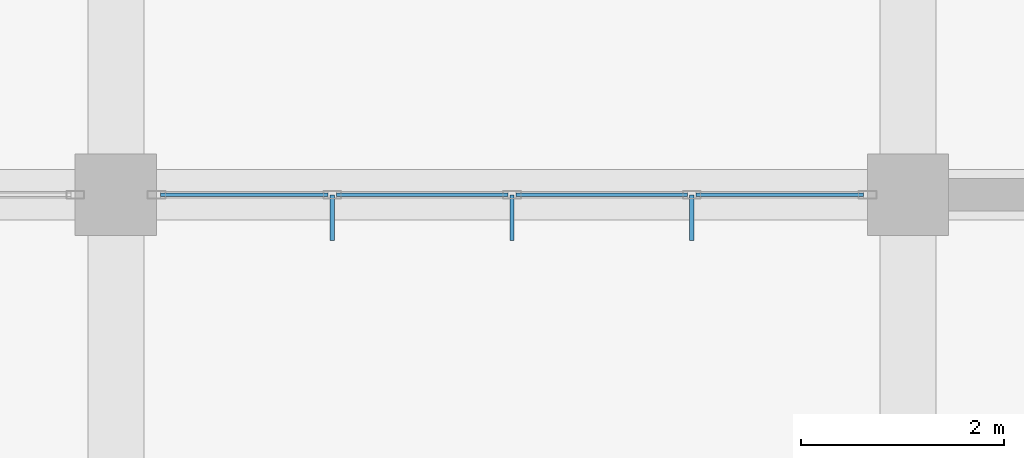
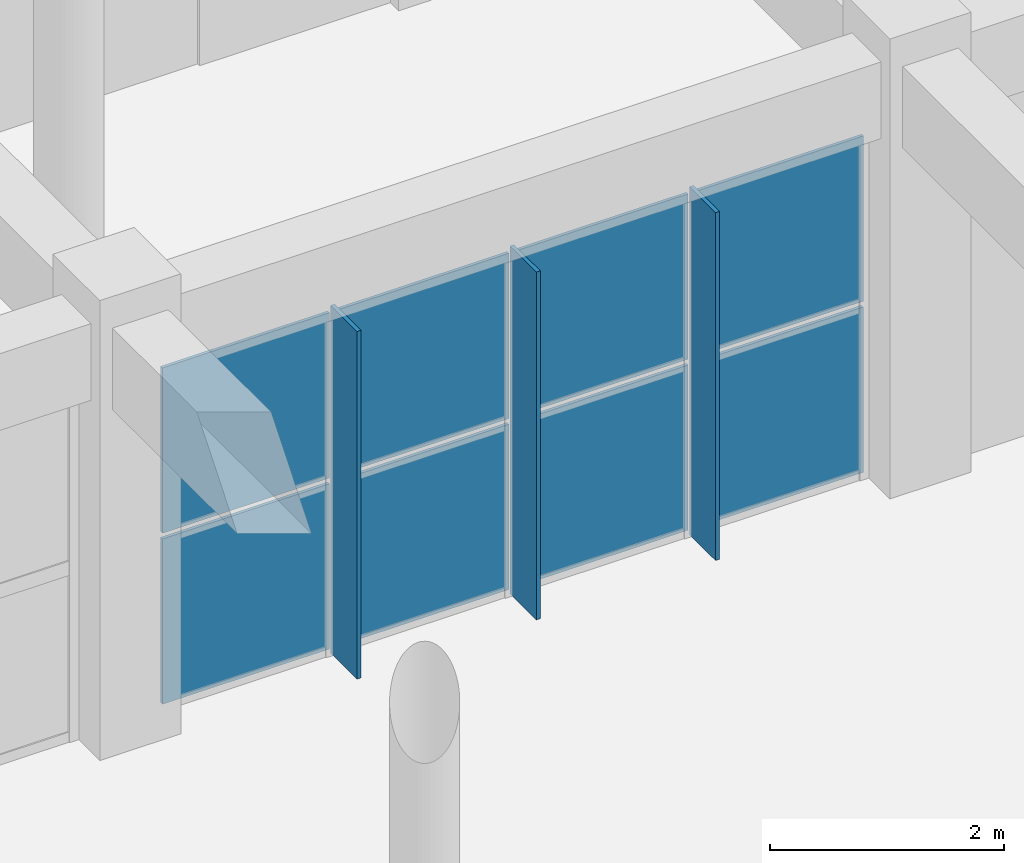
# One storey, part 103 of 139: 11 plates, 1 element without a shape of its own.
"""IFC4 building model written with IfcOpenShell, lengths in metres."""

from ifc_helpers import new_model, si_unit, direction, frame, origin, origin_2d, place, context, subcontext, project, spatial, polyline, rectangle, outline, extrude, material, layer, layer_set, type_object, element, aggregate, save


model = new_model("IFC4")

# Units and contexts
model_context = context("Model", 3, precision=1e-05, world=origin(), true_north=direction((0.0, 1.0)))
body_context = subcontext(model_context, "Body", "Model", "MODEL_VIEW")
ifc_project = project(units=[si_unit("LENGTHUNIT", "METRE"), si_unit("AREAUNIT", "SQUARE_METRE"), si_unit("VOLUMEUNIT", "CUBIC_METRE"), si_unit("PLANEANGLEUNIT", "RADIAN"), si_unit("MASSUNIT", "GRAM", prefix="KILO")], contexts=[model_context])

# Site, building, storey
site_placement = place(None, origin())
site = spatial("IfcSite", under=ifc_project, at=site_placement, CompositionType="ELEMENT")
building_placement = place(site_placement, origin())
building = spatial("IfcBuilding", under=site, at=building_placement, Name="Zizhar Promenade General Hospital", CompositionType="ELEMENT")
storey_placement = place(building_placement, origin())
storey = spatial("IfcBuildingStorey", under=building, at=storey_placement, Name="L00", CompositionType="ELEMENT", Elevation=0.0)

# Curtain wall, plates
ifc_material_1 = material(Name="Anodised aluminium 6063-T6 and low-E glass", Category="aluminium")
ifc_layer_1 = layer(ifc_material_1, 0.159912109375)
ifc_layer_set_1 = layer_set([ifc_layer_1], Name="Anodised aluminium 6063-T6 and low-E glass")
curtain_wall_type = type_object("IfcCurtainWallType", Name="CW-HALL-S", PredefinedType="NOTDEFINED", material=ifc_layer_set_1)
curtain_wall_placement = place(storey_placement, origin())
curtain_wall = element("IfcCurtainWall", 1, at=curtain_wall_placement, inside=storey, type_object=curtain_wall_type, Name="Promenade Colonnade Curtain Wall Bay 13", PredefinedType="NOTDEFINED")
ifc_material_2 = material(Name="Low-E solar-control glass", Category="glass")
ifc_layer_2 = layer(ifc_material_2, 0.031982421875)
ifc_layer_set_2 = layer_set([ifc_layer_2], Name="Low-E solar-control glass")
plate_type_1 = type_object("IfcPlateType", Name="CWP-GLZ-32", PredefinedType="CURTAIN_PANEL", material=ifc_layer_set_2)
plate_1_placement = place(storey_placement, frame((115.735107421875, 8.39990234375, 0.06005859375), z_axis=(0.0, 0.0, 1.0), x_axis=(-1.0, 0.0, 0.0)))
plate_1 = element("IfcPlate", 2, at=plate_1_placement, type_object=plate_type_1, Name="CW-01 panel 1.1", PredefinedType="CURTAIN_PANEL", context=body_context, shape_type="SweptSolid", body=[
    extrude(rectangle(XDim=1.64990234375, YDim=0.031982421875, at=origin_2d()), origin(), (0.0, 0.0, 1.0), 1.72509765625),
])
plate_2_placement = place(storey_placement, frame((115.735107421875, 8.39990234375, 1.844970703125), z_axis=(0.0, 0.0, 1.0), x_axis=(-1.0, 0.0, 0.0)))
plate_2 = element("IfcPlate", 3, at=plate_2_placement, type_object=plate_type_1, Name="CW-01 panel 1.2", PredefinedType="CURTAIN_PANEL", context=body_context, shape_type="SweptSolid", body=[
    extrude(rectangle(XDim=1.64990234375, YDim=0.031982421875, at=origin_2d()), origin(), (0.0, 0.0, 1.0), 1.72509765625),
])
plate_3_placement = place(storey_placement, frame((113.985107421875, 8.39990234375, 0.06005859375), z_axis=(0.0, 0.0, 1.0), x_axis=(-1.0, 0.0, 0.0)))
plate_3 = element("IfcPlate", 4, at=plate_3_placement, type_object=plate_type_1, Name="CW-01 panel 2.1", PredefinedType="CURTAIN_PANEL", context=body_context, shape_type="SweptSolid", body=[
    extrude(rectangle(XDim=1.68994140625, YDim=0.031982421875, at=origin_2d()), origin(), (0.0, 0.0, 1.0), 1.72509765625),
])
plate_4_placement = place(storey_placement, frame((113.985107421875, 8.39990234375, 1.844970703125), z_axis=(0.0, 0.0, 1.0), x_axis=(-1.0, 0.0, 0.0)))
plate_4 = element("IfcPlate", 5, at=plate_4_placement, type_object=plate_type_1, Name="CW-01 panel 2.2", PredefinedType="CURTAIN_PANEL", context=body_context, shape_type="SweptSolid", body=[
    extrude(rectangle(XDim=1.68994140625, YDim=0.031982421875, at=origin_2d()), origin(), (0.0, 0.0, 1.0), 1.72509765625),
])
plate_5_placement = place(storey_placement, frame((112.215087890625, 8.39990234375, 0.06005859375), z_axis=(0.0, 0.0, 1.0), x_axis=(-1.0, 0.0, 0.0)))
plate_5 = element("IfcPlate", 6, at=plate_5_placement, type_object=plate_type_1, Name="CW-01 panel 3.1", PredefinedType="CURTAIN_PANEL", context=body_context, shape_type="SweptSolid", body=[
    extrude(rectangle(XDim=1.68994140625, YDim=0.031982421875, at=origin_2d()), origin(), (0.0, 0.0, 1.0), 1.72509765625),
])
plate_6_placement = place(storey_placement, frame((112.215087890625, 8.39990234375, 1.844970703125), z_axis=(0.0, 0.0, 1.0), x_axis=(-1.0, 0.0, 0.0)))
plate_6 = element("IfcPlate", 7, at=plate_6_placement, type_object=plate_type_1, Name="CW-01 panel 3.2", PredefinedType="CURTAIN_PANEL", context=body_context, shape_type="SweptSolid", body=[
    extrude(rectangle(XDim=1.68994140625, YDim=0.031982421875, at=origin_2d()), origin(), (0.0, 0.0, 1.0), 1.72509765625),
])
plate_7_placement = place(storey_placement, frame((110.465087890625, 8.39990234375, 0.06005859375), z_axis=(0.0, 0.0, 1.0), x_axis=(-1.0, 0.0, 0.0)))
plate_7 = element("IfcPlate", 8, at=plate_7_placement, type_object=plate_type_1, Name="CW-01 panel 4.1", PredefinedType="CURTAIN_PANEL", context=body_context, shape_type="SweptSolid", body=[
    extrude(rectangle(XDim=1.64990234375, YDim=0.031982421875, at=origin_2d()), origin(), (0.0, 0.0, 1.0), 1.72509765625),
])
plate_8_placement = place(storey_placement, frame((110.465087890625, 8.39990234375, 1.844970703125), z_axis=(0.0, 0.0, 1.0), x_axis=(-1.0, 0.0, 0.0)))
plate_8 = element("IfcPlate", 9, at=plate_8_placement, type_object=plate_type_1, Name="CW-01 panel 4.2", PredefinedType="CURTAIN_PANEL", context=body_context, shape_type="SweptSolid", body=[
    extrude(rectangle(XDim=1.64990234375, YDim=0.031982421875, at=origin_2d()), origin(), (0.0, 0.0, 1.0), 1.72509765625),
])
aggregate(curtain_wall, [plate_1, plate_2, plate_3, plate_4, plate_5, plate_6, plate_7, plate_8])

# Plates
ifc_material_3 = material(Name="Anodised aluminium 6063-T6", Category="aluminium")
ifc_layer_3 = layer(ifc_material_3, 0.0400390625)
ifc_layer_set_3 = layer_set([ifc_layer_3], Name="Anodised aluminium 6063-T6")
plate_type_2 = type_object("IfcPlateType", Name="FIN-ALU-450", PredefinedType="USERDEFINED", material=ifc_layer_set_3)
plate_9_placement = place(storey_placement, origin())
element("IfcPlate", 10, at=plate_9_placement, inside=storey, type_object=plate_type_2, Name="Promenade Colonnade Curtain Wall Bay 13 Solar Fin 1", ObjectType="SOLAR_SHADE", PredefinedType="USERDEFINED", context=body_context, shape_type="SweptSolid", body=[
    extrude(outline(polyline([(114.889892578125, 8.39990234375), (114.85009765625, 8.39990234375), (114.85009765625, 7.949951171875), (114.889892578125, 7.949951171875), (114.889892578125, 8.39990234375)])), origin(), (0.0, 0.0, 1.0), 3.6298828125),
])
plate_10_placement = place(storey_placement, origin())
element("IfcPlate", 11, at=plate_10_placement, inside=storey, type_object=plate_type_2, Name="Promenade Colonnade Curtain Wall Bay 13 Solar Fin 2", ObjectType="SOLAR_SHADE", PredefinedType="USERDEFINED", context=body_context, shape_type="SweptSolid", body=[
    extrude(outline(polyline([(113.1201171875, 8.39990234375), (113.080078125, 8.39990234375), (113.080078125, 7.949951171875), (113.1201171875, 7.949951171875), (113.1201171875, 8.39990234375)])), origin(), (0.0, 0.0, 1.0), 3.6298828125),
])
plate_11_placement = place(storey_placement, origin())
element("IfcPlate", 12, at=plate_11_placement, inside=storey, type_object=plate_type_2, Name="Promenade Colonnade Curtain Wall Bay 13 Solar Fin 3", ObjectType="SOLAR_SHADE", PredefinedType="USERDEFINED", context=body_context, shape_type="SweptSolid", body=[
    extrude(outline(polyline([(111.35009765625, 8.39990234375), (111.31005859375, 8.39990234375), (111.31005859375, 7.949951171875), (111.35009765625, 7.949951171875), (111.35009765625, 8.39990234375)])), origin(), (0.0, 0.0, 1.0), 3.6298828125),
])

save(model, "model.ifc")
